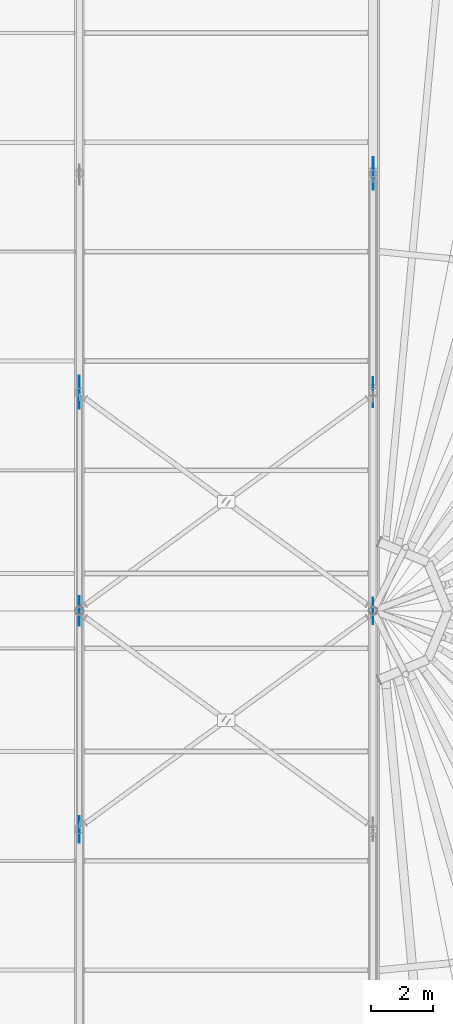
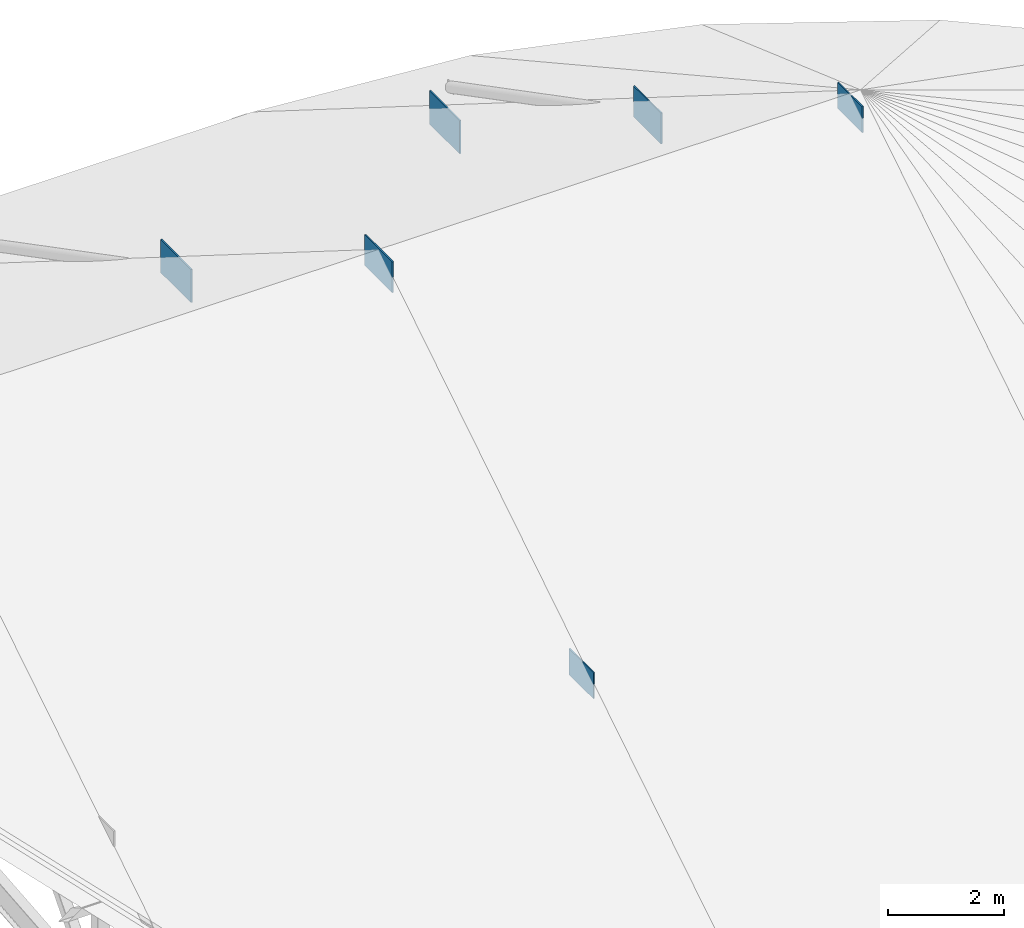
# One storey, part 32 of 66: 6 plates.
"""IFC4 building model written with IfcOpenShell, lengths in metres."""

from ifc_helpers import new_model, si_unit, direction, frame, origin, origin_2d, place, context, subcontext, project, spatial, rectangle, extrude, material, layer, layer_set, type_object, element, save


model = new_model("IFC4")

# Units and contexts
model_context = context("Model", 3, precision=1e-05, world=origin(), true_north=direction((0.0, 1.0)))
body_context = subcontext(model_context, "Body", "Model", "MODEL_VIEW")
ifc_project = project(units=[si_unit("LENGTHUNIT", "METRE"), si_unit("AREAUNIT", "SQUARE_METRE"), si_unit("VOLUMEUNIT", "CUBIC_METRE"), si_unit("PLANEANGLEUNIT", "RADIAN"), si_unit("MASSUNIT", "GRAM", prefix="KILO")], contexts=[model_context])

# Site, building, storey
site_placement = place(None, origin())
site = spatial("IfcSite", under=ifc_project, at=site_placement, CompositionType="ELEMENT")
building_placement = place(site_placement, origin())
building = spatial("IfcBuilding", under=site, at=building_placement, Name="Yeouljin Market Hall", CompositionType="ELEMENT")
storey_placement = place(building_placement, frame((0.0, 0.0, 23.39990234375)))
storey = spatial("IfcBuildingStorey", under=building, at=storey_placement, Name="RF", CompositionType="ELEMENT", Elevation=23.39990234375)

# Plates
ifc_material_1 = material(Name="Steel SM355", Category="steel")
ifc_layer_1 = layer(ifc_material_1, 0.030029296875)
ifc_layer_set_1 = layer_set([ifc_layer_1], Name="Steel SM355")
plate_type_1 = type_object("IfcPlateType", Name="GussetPlate_1050x700x30", PredefinedType="USERDEFINED", material=ifc_layer_set_1)
for number, where, z_axis, x_axis, name in (
    (1, (131.39990234375, 64.0, -3.85009765625), (0.0, 0.0, 1.0), (0.0, 1.0, 0.0), "Truss node gusset plate 054"),
    (2, (140.800048828125, 71.0, -8.25), (0.0, 0.0, 1.0), (0.0, 1.0, 0.0), "Truss node gusset plate 060"),
):
    element("IfcPlate", number, at=place(storey_placement, frame(where, z_axis=z_axis, x_axis=x_axis)), inside=storey, type_object=plate_type_1, Name=name, ObjectType="GUSSET PLATE", PredefinedType="USERDEFINED", context=body_context, shape_type="SweptSolid", body=[
        extrude(rectangle(XDim=1.050048828125, YDim=0.030029296875, at=origin_2d()), origin(), (0.0, 0.0, 1.0), 0.699951171875),
    ])
ifc_material_2 = material(Name="Steel SM355", Category="steel")
ifc_layer_2 = layer(ifc_material_2, 0.02490234375)
ifc_layer_set_2 = layer_set([ifc_layer_2], Name="Steel SM355")
plate_type_2 = type_object("IfcPlateType", Name="GussetPlate_850x550x25", PredefinedType="USERDEFINED", material=ifc_layer_set_2)
for number, where, z_axis, x_axis, name in (
    (3, (131.39990234375, 50.0, -3.77490234375), (0.0, 0.0, 1.0), (0.0, 1.0, 0.0), "Truss node gusset plate 052"),
    (4, (140.800048828125, 57.0, 0.625), (0.0, 0.0, 1.0), (0.0, 1.0, 0.0), "Truss node gusset plate 058"),
):
    element("IfcPlate", number, at=place(storey_placement, frame(where, z_axis=z_axis, x_axis=x_axis)), inside=storey, type_object=plate_type_2, Name=name, ObjectType="GUSSET PLATE", PredefinedType="USERDEFINED", context=body_context, shape_type="SweptSolid", body=[
        extrude(rectangle(XDim=0.85009765625, YDim=0.02490234375, at=origin_2d()), origin(), (0.0, 0.0, 1.0), 0.550048828125),
    ])
ifc_material_3 = material(Name="Steel SM355", Category="steel")
ifc_layer_3 = layer(ifc_material_3, 0.028076171875)
ifc_layer_set_3 = layer_set([ifc_layer_3], Name="Steel SM355")
plate_type_3 = type_object("IfcPlateType", Name="GussetPlate_950x650x28", PredefinedType="USERDEFINED", material=ifc_layer_set_3)
for number, where, z_axis, x_axis, name in (
    (5, (131.39990234375, 57.0, 0.5751953125), (0.0, 0.0, 1.0), (0.0, 1.0, 0.0), "Truss node gusset plate 053"),
    (6, (140.800048828125, 64.0, -3.824951171875), (0.0, 0.0, 1.0), (0.0, 1.0, 0.0), "Truss node gusset plate 059"),
):
    element("IfcPlate", number, at=place(storey_placement, frame(where, z_axis=z_axis, x_axis=x_axis)), inside=storey, type_object=plate_type_3, Name=name, ObjectType="GUSSET PLATE", PredefinedType="USERDEFINED", context=body_context, shape_type="SweptSolid", body=[
        extrude(rectangle(XDim=0.949951171875, YDim=0.028076171875, at=origin_2d()), origin(), (0.0, 0.0, 1.0), 0.64990234375),
    ])

save(model, "model.ifc")
